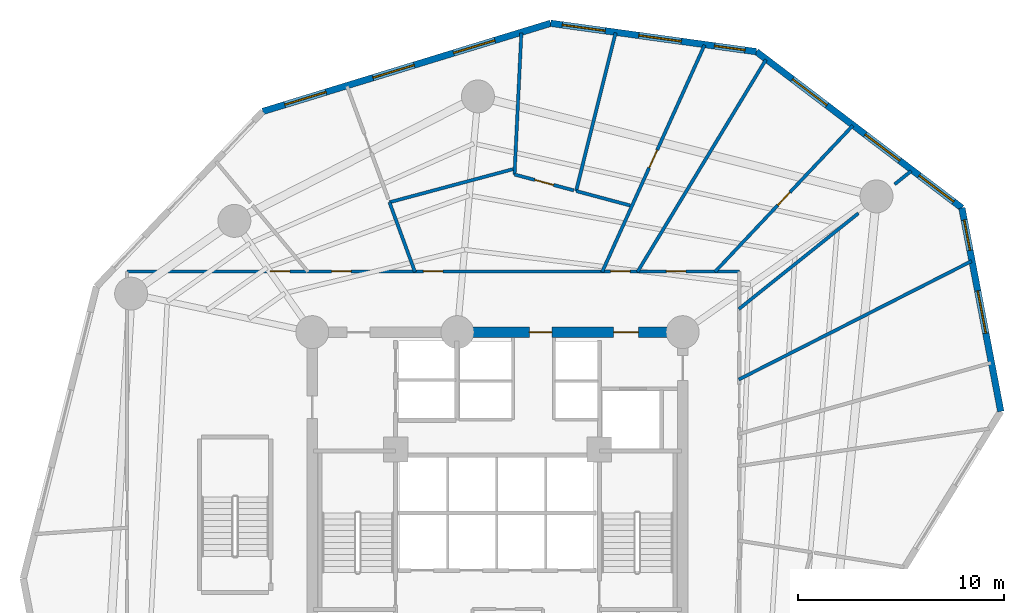
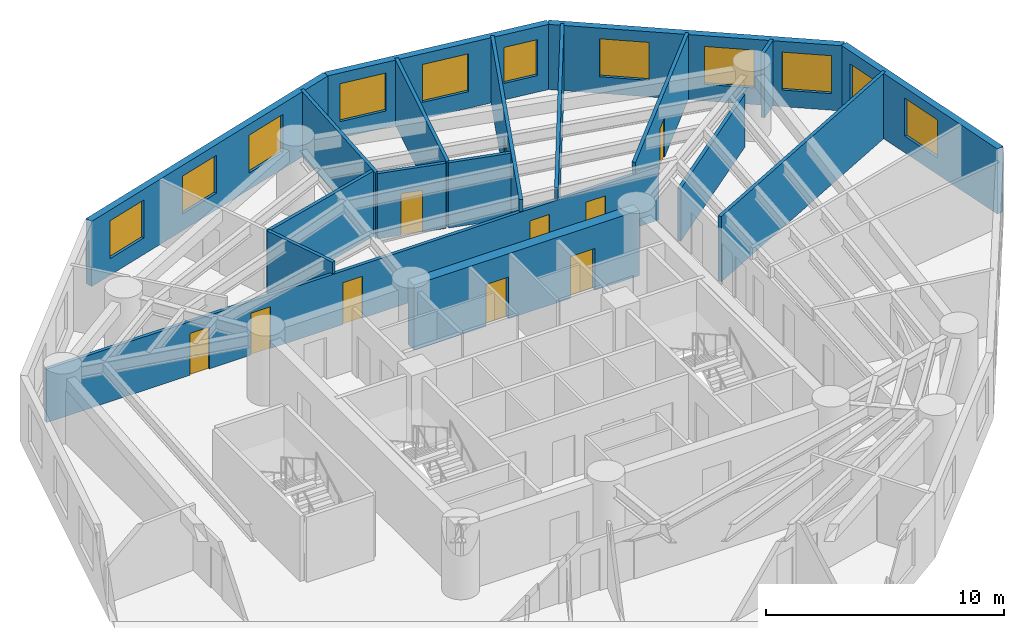
# One storey, part 6 of 8: 18 walls, 11 windows, 10 doors, 21 openings.
"""IFC4 building model written with IfcOpenShell, lengths in metres."""

from ifc_helpers import new_model, si_unit, direction, frame, frame_2d, origin, origin_with_axes, place, context, subcontext, project, spatial, rectangle, extrude, source, transform, mapped, material, layer, layer_set, type_object, element, fill, save


model = new_model("IFC4")

# Units and contexts
model_context = context("Model", 3, precision=1e-05, world=origin(), true_north=direction((0.0, 1.0)))
body_context = subcontext(model_context, "Body", "Model", "MODEL_VIEW")
ifc_project = project(units=[si_unit("LENGTHUNIT", "METRE"), si_unit("AREAUNIT", "SQUARE_METRE"), si_unit("VOLUMEUNIT", "CUBIC_METRE"), si_unit("PLANEANGLEUNIT", "RADIAN"), si_unit("MASSUNIT", "GRAM", prefix="KILO")], contexts=[model_context])

# Site, building, storey
site_placement = place(None, origin())
site = spatial("IfcSite", under=ifc_project, at=site_placement, CompositionType="ELEMENT")
building_placement = place(site_placement, origin())
building = spatial("IfcBuilding", under=site, at=building_placement, Name="Karkom Vertical University and Central Library", CompositionType="ELEMENT")
storey_placement = place(building_placement, frame((0.0, 0.0, 76.89990234375)))
storey = spatial("IfcBuildingStorey", under=building, at=storey_placement, Name="L20", CompositionType="ELEMENT", Elevation=76.89990234375)

# Wall, openings, windows
ifc_material_1 = material(Name="Brick-faced precast concrete C45/55", Category="masonry")
ifc_layer_1 = layer(ifc_material_1, 0.320068359375)
ifc_layer_set_1 = layer_set([ifc_layer_1], Name="Brick-faced precast concrete C45/55")
wall_type_1 = type_object("IfcWallType", Name="ENV-WL-BRK-320", PredefinedType="SOLIDWALL", material=ifc_layer_set_1)
wall_1_placement = place(storey_placement, frame((52.9580078125, 30.848388671875, 0.0), z_axis=(0.0, 0.0, 1.0), x_axis=(-0.187668122097, 0.982232495873, 0.0)))
wall_1 = element("IfcWall", 1, at=wall_1_placement, inside=storey, type_object=wall_type_1, Name="Level 20 Brick-Faced Precast Facade Wall 09", PredefinedType="SOLIDWALL", context=body_context, shape_type="SweptSolid", body=[
    extrude(rectangle(XDim=10.06787109375, YDim=0.320068359375, at=frame_2d((5.033935546875, 0.0))), origin(), (0.0, 0.0, 1.0), 3.35009765625),
])
opening_1_placement = place(wall_1_placement, frame((3.86669921875, 0.0, 0.85009765625)))
opening_1 = element("IfcOpeningElement", 2, at=opening_1_placement, cuts=wall_1, Name="Opening WN-03", PredefinedType="OPENING", context=body_context, shape_type="SweptSolid", body=[
    extrude(rectangle(XDim=2.10009765625, YDim=1.949951171875, at=frame_2d((1.050048828125, 0.97509765625))), frame((0.0, 0.169921875, 0.0), z_axis=(0.0, -1.0, 0.0), x_axis=(1.0, 0.0, 0.0)), (0.0, 0.0, 1.0), 0.340087890625),
])
opening_2_placement = place(wall_1_placement, frame((7.968994140625, 0.0, 0.85009765625)))
opening_2 = element("IfcOpeningElement", 3, at=opening_2_placement, cuts=wall_1, Name="Opening WN-05", PredefinedType="OPENING", context=body_context, shape_type="SweptSolid", body=[
    extrude(rectangle(XDim=1.5, YDim=1.85009765625, at=frame_2d((0.75, 0.925048828125))), frame((0.0, 0.169921875, 0.0), z_axis=(0.0, -1.0, 0.0), x_axis=(1.0, 0.0, 0.0)), (0.0, 0.0, 1.0), 0.340087890625),
])
ifc_material_2 = material(Name="Aluminium thermal-break frame with solar-control IGU", Category="aluminium")
window_type_1 = type_object("IfcWindowType", Name="ENV-WIN-WN-03", PartitioningType="SINGLE_PANEL", PredefinedType="WINDOW", material=ifc_material_2)
shared_shape_1 = source(origin_with_axes(), body_context, "Body", "SweptSolid", [
    extrude(rectangle(XDim=2.10009765625, YDim=1.949951171875, at=frame_2d((1.050048828125, 0.97509765625))), frame((0.0, 0.030029296875, 0.0), z_axis=(0.0, -1.0, 0.0), x_axis=(1.0, 0.0, 0.0)), (0.0, 0.0, 1.0), 0.06005859375),
])
window_1_placement = place(opening_1_placement, origin())
window_1 = element("IfcWindow", 4, at=window_1_placement, inside=storey, type_object=window_type_1, Name="Level 20 Punched Window 9.1", OverallHeight=1.949951171875, OverallWidth=2.10009765625, PartitioningType="SINGLE_PANEL", PredefinedType="WINDOW", context=body_context, shape_type="MappedRepresentation", body=[
    mapped(shared_shape_1, transform((0.0, 0.0, 0.0), scale=1.0)),
])
fill(opening_1, window_1)
window_type_2 = type_object("IfcWindowType", Name="ENV-WIN-WN-05", PartitioningType="SINGLE_PANEL", PredefinedType="WINDOW", material=ifc_material_2)
shared_shape_2 = source(origin_with_axes(), body_context, "Body", "SweptSolid", [
    extrude(rectangle(XDim=1.5, YDim=1.85009765625, at=frame_2d((0.75, 0.925048828125))), frame((0.0, 0.030029296875, 0.0), z_axis=(0.0, -1.0, 0.0), x_axis=(1.0, 0.0, 0.0)), (0.0, 0.0, 1.0), 0.06005859375),
])
window_2_placement = place(opening_2_placement, origin())
window_2 = element("IfcWindow", 5, at=window_2_placement, inside=storey, type_object=window_type_2, Name="Level 20 Punched Window 9.2", OverallHeight=1.85009765625, OverallWidth=1.5, PartitioningType="SINGLE_PANEL", PredefinedType="WINDOW", context=body_context, shape_type="MappedRepresentation", body=[
    mapped(shared_shape_2, transform((0.0, 0.0, 0.0), scale=1.0)),
])
fill(opening_2, window_2)

wall_2_placement = place(storey_placement, frame((51.068603515625, 40.7373046875, 0.0), z_axis=(0.0, 0.0, 1.0), x_axis=(-0.796119452113, 0.605139502898, 0.0)))
wall_2 = element("IfcWall", 6, at=wall_2_placement, inside=storey, type_object=wall_type_1, Name="Level 20 Brick-Faced Precast Facade Wall 10", PredefinedType="SOLIDWALL", context=body_context, shape_type="SweptSolid", body=[
    extrude(rectangle(XDim=12.54833984375, YDim=0.320068359375, at=frame_2d((6.274169921875, 0.0))), origin(), (0.0, 0.0, 1.0), 3.35009765625),
])
opening_3_placement = place(wall_2_placement, frame((0.503173828125, 0.0, 0.85009765625)))
opening_3 = element("IfcOpeningElement", 7, at=opening_3_placement, cuts=wall_2, Name="Opening WN-03", PredefinedType="OPENING", context=body_context, shape_type="SweptSolid", body=[
    extrude(rectangle(XDim=2.10009765625, YDim=1.949951171875, at=frame_2d((1.050048828125, 0.97509765625))), frame((0.0, 0.169921875, 0.0), z_axis=(0.0, -1.0, 0.0), x_axis=(1.0, 0.0, 0.0)), (0.0, 0.0, 1.0), 0.340087890625),
])
opening_4_placement = place(wall_2_placement, frame((3.795654296875, 0.0, 0.85009765625)))
opening_4 = element("IfcOpeningElement", 8, at=opening_4_placement, cuts=wall_2, Name="Opening WN-03", PredefinedType="OPENING", context=body_context, shape_type="SweptSolid", body=[
    extrude(rectangle(XDim=2.10009765625, YDim=1.949951171875, at=frame_2d((1.050048828125, 0.97509765625))), frame((0.0, 0.169921875, 0.0), z_axis=(0.0, -1.0, 0.0), x_axis=(1.0, 0.0, 0.0)), (0.0, 0.0, 1.0), 0.340087890625),
])
opening_5_placement = place(wall_2_placement, frame((8.240966796875, 0.0, 0.85009765625)))
opening_5 = element("IfcOpeningElement", 9, at=opening_5_placement, cuts=wall_2, Name="Opening WN-03", PredefinedType="OPENING", context=body_context, shape_type="SweptSolid", body=[
    extrude(rectangle(XDim=2.10009765625, YDim=1.949951171875, at=frame_2d((1.050048828125, 0.97509765625))), frame((0.0, 0.169921875, 0.0), z_axis=(0.0, -1.0, 0.0), x_axis=(1.0, 0.0, 0.0)), (0.0, 0.0, 1.0), 0.340087890625),
])
window_3_placement = place(opening_3_placement, origin())
window_3 = element("IfcWindow", 10, at=window_3_placement, inside=storey, type_object=window_type_1, Name="Level 20 Punched Window 10.1", OverallHeight=1.949951171875, OverallWidth=2.10009765625, PartitioningType="SINGLE_PANEL", PredefinedType="WINDOW", context=body_context, shape_type="MappedRepresentation", body=[
    mapped(shared_shape_1, transform((0.0, 0.0, 0.0), scale=1.0)),
])
fill(opening_3, window_3)
window_4_placement = place(opening_4_placement, origin())
window_4 = element("IfcWindow", 11, at=window_4_placement, inside=storey, type_object=window_type_1, Name="Level 20 Punched Window 10.2", OverallHeight=1.949951171875, OverallWidth=2.10009765625, PartitioningType="SINGLE_PANEL", PredefinedType="WINDOW", context=body_context, shape_type="MappedRepresentation", body=[
    mapped(shared_shape_1, transform((0.0, 0.0, 0.0), scale=1.0)),
])
fill(opening_4, window_4)
window_5_placement = place(opening_5_placement, origin())
window_5 = element("IfcWindow", 12, at=window_5_placement, inside=storey, type_object=window_type_1, Name="Level 20 Punched Window 10.3", OverallHeight=1.949951171875, OverallWidth=2.10009765625, PartitioningType="SINGLE_PANEL", PredefinedType="WINDOW", context=body_context, shape_type="MappedRepresentation", body=[
    mapped(shared_shape_1, transform((0.0, 0.0, 0.0), scale=1.0)),
])
fill(opening_5, window_5)

wall_3_placement = place(storey_placement, frame((41.07861328125, 48.330810546875, 0.0), z_axis=(0.0, 0.0, 1.0), x_axis=(-0.990610962214, 0.136711087848, 0.0)))
wall_3 = element("IfcWall", 13, at=wall_3_placement, inside=storey, type_object=wall_type_1, Name="Level 20 Brick-Faced Precast Facade Wall 11", PredefinedType="SOLIDWALL", context=body_context, shape_type="SweptSolid", body=[
    extrude(rectangle(XDim=10.08984375, YDim=0.320068359375, at=frame_2d((5.044921875, 0.0))), origin(), (0.0, 0.0, 1.0), 3.35009765625),
])
opening_6_placement = place(wall_3_placement, frame((0.552734375, 0.0, 0.85009765625)))
opening_6 = element("IfcOpeningElement", 14, at=opening_6_placement, cuts=wall_3, Name="Opening WN-05", PredefinedType="OPENING", context=body_context, shape_type="SweptSolid", body=[
    extrude(rectangle(XDim=1.5, YDim=1.85009765625, at=frame_2d((0.75, 0.925048828125))), frame((0.0, 0.169921875, 0.0), z_axis=(0.0, -1.0, 0.0), x_axis=(1.0, 0.0, 0.0)), (0.0, 0.0, 1.0), 0.340087890625),
])
opening_7_placement = place(wall_3_placement, frame((3.673095703125, 0.0, 0.85009765625)))
opening_7 = element("IfcOpeningElement", 15, at=opening_7_placement, cuts=wall_3, Name="Opening WN-03", PredefinedType="OPENING", context=body_context, shape_type="SweptSolid", body=[
    extrude(rectangle(XDim=2.10009765625, YDim=1.949951171875, at=frame_2d((1.050048828125, 0.97509765625))), frame((0.0, 0.169921875, 0.0), z_axis=(0.0, -1.0, 0.0), x_axis=(1.0, 0.0, 0.0)), (0.0, 0.0, 1.0), 0.340087890625),
])
opening_8_placement = place(wall_3_placement, frame((7.415283203125, 0.0, 0.85009765625)))
opening_8 = element("IfcOpeningElement", 16, at=opening_8_placement, cuts=wall_3, Name="Opening WN-03", PredefinedType="OPENING", context=body_context, shape_type="SweptSolid", body=[
    extrude(rectangle(XDim=2.10009765625, YDim=1.949951171875, at=frame_2d((1.050048828125, 0.97509765625))), frame((0.0, 0.169921875, 0.0), z_axis=(0.0, -1.0, 0.0), x_axis=(1.0, 0.0, 0.0)), (0.0, 0.0, 1.0), 0.340087890625),
])
window_6_placement = place(opening_7_placement, origin())
window_6 = element("IfcWindow", 17, at=window_6_placement, inside=storey, type_object=window_type_1, Name="Level 20 Punched Window 11.2", OverallHeight=1.949951171875, OverallWidth=2.10009765625, PartitioningType="SINGLE_PANEL", PredefinedType="WINDOW", context=body_context, shape_type="MappedRepresentation", body=[
    mapped(shared_shape_1, transform((0.0, 0.0, 0.0), scale=1.0)),
])
fill(opening_7, window_6)
window_7_placement = place(opening_8_placement, origin())
window_7 = element("IfcWindow", 18, at=window_7_placement, inside=storey, type_object=window_type_1, Name="Level 20 Punched Window 11.3", OverallHeight=1.949951171875, OverallWidth=2.10009765625, PartitioningType="SINGLE_PANEL", PredefinedType="WINDOW", context=body_context, shape_type="MappedRepresentation", body=[
    mapped(shared_shape_1, transform((0.0, 0.0, 0.0), scale=1.0)),
])
fill(opening_8, window_7)
window_8_placement = place(opening_6_placement, origin())
window_8 = element("IfcWindow", 19, at=window_8_placement, inside=storey, type_object=window_type_2, Name="Level 20 Punched Window 11.1", OverallHeight=1.85009765625, OverallWidth=1.5, PartitioningType="SINGLE_PANEL", PredefinedType="WINDOW", context=body_context, shape_type="MappedRepresentation", body=[
    mapped(shared_shape_2, transform((0.0, 0.0, 0.0), scale=1.0)),
])
fill(opening_6, window_8)

wall_4_placement = place(storey_placement, frame((31.08349609375, 49.710205078125, 0.0), z_axis=(0.0, 0.0, 1.0), x_axis=(-0.956152758826, -0.292868403536, 0.0)))
wall_4 = element("IfcWall", 20, at=wall_4_placement, inside=storey, type_object=wall_type_1, Name="Level 20 Brick-Faced Precast Facade Wall 12", PredefinedType="SOLIDWALL", context=body_context, shape_type="SweptSolid", body=[
    extrude(rectangle(XDim=14.630126953125, YDim=0.320068359375, at=frame_2d((7.31494140625, 0.0))), origin(), (0.0, 0.0, 1.0), 3.35009765625),
])
opening_9_placement = place(wall_4_placement, frame((2.83056640625, 0.0, 0.85009765625)))
opening_9 = element("IfcOpeningElement", 21, at=opening_9_placement, cuts=wall_4, Name="Opening WN-03", PredefinedType="OPENING", context=body_context, shape_type="SweptSolid", body=[
    extrude(rectangle(XDim=2.10009765625, YDim=1.949951171875, at=frame_2d((1.050048828125, 0.97509765625))), frame((0.0, 0.169921875, 0.0), z_axis=(0.0, -1.0, 0.0), x_axis=(1.0, 0.0, 0.0)), (0.0, 0.0, 1.0), 0.340087890625),
])
opening_10_placement = place(wall_4_placement, frame((6.934814453125, 0.0, 0.85009765625)))
opening_10 = element("IfcOpeningElement", 22, at=opening_10_placement, cuts=wall_4, Name="Opening WN-03", PredefinedType="OPENING", context=body_context, shape_type="SweptSolid", body=[
    extrude(rectangle(XDim=2.10009765625, YDim=1.949951171875, at=frame_2d((1.050048828125, 0.97509765625))), frame((0.0, 0.169921875, 0.0), z_axis=(0.0, -1.0, 0.0), x_axis=(1.0, 0.0, 0.0)), (0.0, 0.0, 1.0), 0.340087890625),
])
opening_11_placement = place(wall_4_placement, frame((11.41357421875, 0.0, 0.85009765625)))
opening_11 = element("IfcOpeningElement", 23, at=opening_11_placement, cuts=wall_4, Name="Opening WN-03", PredefinedType="OPENING", context=body_context, shape_type="SweptSolid", body=[
    extrude(rectangle(XDim=2.10009765625, YDim=1.949951171875, at=frame_2d((1.050048828125, 0.97509765625))), frame((0.0, 0.169921875, 0.0), z_axis=(0.0, -1.0, 0.0), x_axis=(1.0, 0.0, 0.0)), (0.0, 0.0, 1.0), 0.340087890625),
])
window_9_placement = place(opening_9_placement, origin())
window_9 = element("IfcWindow", 24, at=window_9_placement, inside=storey, type_object=window_type_1, Name="Level 20 Punched Window 12.1", OverallHeight=1.949951171875, OverallWidth=2.10009765625, PartitioningType="SINGLE_PANEL", PredefinedType="WINDOW", context=body_context, shape_type="MappedRepresentation", body=[
    mapped(shared_shape_1, transform((0.0, 0.0, 0.0), scale=1.0)),
])
fill(opening_9, window_9)
window_10_placement = place(opening_10_placement, origin())
window_10 = element("IfcWindow", 25, at=window_10_placement, inside=storey, type_object=window_type_1, Name="Level 20 Punched Window 12.2", OverallHeight=1.949951171875, OverallWidth=2.10009765625, PartitioningType="SINGLE_PANEL", PredefinedType="WINDOW", context=body_context, shape_type="MappedRepresentation", body=[
    mapped(shared_shape_1, transform((0.0, 0.0, 0.0), scale=1.0)),
])
fill(opening_10, window_10)
window_11_placement = place(opening_11_placement, origin())
window_11 = element("IfcWindow", 26, at=window_11_placement, inside=storey, type_object=window_type_1, Name="Level 20 Punched Window 12.3", OverallHeight=1.949951171875, OverallWidth=2.10009765625, PartitioningType="SINGLE_PANEL", PredefinedType="WINDOW", context=body_context, shape_type="MappedRepresentation", body=[
    mapped(shared_shape_1, transform((0.0, 0.0, 0.0), scale=1.0)),
])
fill(opening_11, window_11)

# Wall, openings, doors
ifc_material_3 = material(Name="Insulated metal-stud drywall 160mm", Category="gypsum")
ifc_layer_2 = layer(ifc_material_3, 0.159912109375)
ifc_layer_set_2 = layer_set([ifc_layer_2], Name="Insulated metal-stud drywall 160mm")
wall_type_2 = type_object("IfcWallType", Name="INT-WL-COR-160", PredefinedType="PARTITIONING", material=ifc_layer_set_2)
wall_5_placement = place(storey_placement, frame((10.5, 37.64990234375, 0.0), z_axis=(0.0, 0.0, 1.0), x_axis=(1.0, 0.0, 0.0)))
wall_5 = element("IfcWall", 27, at=wall_5_placement, inside=storey, type_object=wall_type_2, Name="Level 20 Interior Partition Wall L20-CORW-CW-003", PredefinedType="PARTITIONING", context=body_context, shape_type="SweptSolid", body=[
    extrude(rectangle(XDim=29.75, YDim=0.159912109375, at=frame_2d((14.875, 0.0))), origin(), (0.0, 0.0, 1.0), 2.75),
])
opening_12_placement = place(wall_5_placement, frame((26.207763671875, 0.0, 0.0)))
opening_12 = element("IfcOpeningElement", 28, at=opening_12_placement, cuts=wall_5, Name="Opening D-RM1", PredefinedType="OPENING", context=body_context, shape_type="SweptSolid", body=[
    extrude(rectangle(XDim=0.949951171875, YDim=2.14990234375, at=frame_2d((0.47509765625, 1.074951171875))), frame((0.0, 0.08984375, 0.0), z_axis=(0.0, -1.0, 0.0), x_axis=(1.0, 0.0, 0.0)), (0.0, 0.0, 1.0), 0.179931640625),
])
opening_13_placement = place(wall_5_placement, frame((23.4951171875, 0.0, 0.0)))
opening_13 = element("IfcOpeningElement", 29, at=opening_13_placement, cuts=wall_5, Name="Opening D-RM1", PredefinedType="OPENING", context=body_context, shape_type="SweptSolid", body=[
    extrude(rectangle(XDim=0.949951171875, YDim=2.14990234375, at=frame_2d((0.47509765625, 1.074951171875))), frame((0.0, 0.08984375, 0.0), z_axis=(0.0, -1.0, 0.0), x_axis=(1.0, 0.0, 0.0)), (0.0, 0.0, 1.0), 0.179931640625),
])
opening_14_placement = place(wall_5_placement, frame((14.39990234375, 0.0, 0.0)))
opening_14 = element("IfcOpeningElement", 30, at=opening_14_placement, cuts=wall_5, Name="Opening D-RM1", PredefinedType="OPENING", context=body_context, shape_type="SweptSolid", body=[
    extrude(rectangle(XDim=0.949951171875, YDim=2.14990234375, at=frame_2d((0.47509765625, 1.074951171875))), frame((0.0, 0.08984375, 0.0), z_axis=(0.0, -1.0, 0.0), x_axis=(1.0, 0.0, 0.0)), (0.0, 0.0, 1.0), 0.179931640625),
])
opening_15_placement = place(wall_5_placement, frame((9.9375, 0.0, 0.0)))
opening_15 = element("IfcOpeningElement", 31, at=opening_15_placement, cuts=wall_5, Name="Opening D-RM1", PredefinedType="OPENING", context=body_context, shape_type="SweptSolid", body=[
    extrude(rectangle(XDim=0.949951171875, YDim=2.14990234375, at=frame_2d((0.47509765625, 1.074951171875))), frame((0.0, 0.08984375, 0.0), z_axis=(0.0, -1.0, 0.0), x_axis=(1.0, 0.0, 0.0)), (0.0, 0.0, 1.0), 0.179931640625),
])
opening_16_placement = place(wall_5_placement, frame((6.96240234375, 0.0, 0.0)))
opening_16 = element("IfcOpeningElement", 32, at=opening_16_placement, cuts=wall_5, Name="Opening D-RM1", PredefinedType="OPENING", context=body_context, shape_type="SweptSolid", body=[
    extrude(rectangle(XDim=0.949951171875, YDim=2.14990234375, at=frame_2d((0.47509765625, 1.074951171875))), frame((0.0, 0.08984375, 0.0), z_axis=(0.0, -1.0, 0.0), x_axis=(1.0, 0.0, 0.0)), (0.0, 0.0, 1.0), 0.179931640625),
])
ifc_material_4 = material(Name="Solid-core oak veneer door", Category="wood")
door_type_1 = type_object("IfcDoorType", Name="INT-DR-RM1", OperationType="NOTDEFINED", PredefinedType="DOOR", material=ifc_material_4)
shared_shape_3 = source(origin_with_axes(), body_context, "Body", "SweptSolid", [
    extrude(rectangle(XDim=0.949951171875, YDim=2.14990234375, at=frame_2d((0.47509765625, 1.074951171875))), frame((0.0, 0.02490234375, 0.0), z_axis=(0.0, -1.0, 0.0), x_axis=(1.0, 0.0, 0.0)), (0.0, 0.0, 1.0), 0.050048828125),
])
door_1_placement = place(opening_12_placement, origin())
door_1 = element("IfcDoor", 33, at=door_1_placement, inside=storey, type_object=door_type_1, Name="Level 20 Room Entry Door 170", OperationType="SINGLE_SWING_LEFT", OverallHeight=2.14990234375, OverallWidth=0.949951171875, PredefinedType="DOOR", context=body_context, shape_type="MappedRepresentation", body=[
    mapped(shared_shape_3, transform((0.0, 0.0, 0.0), scale=1.0)),
])
fill(opening_12, door_1)
door_2_placement = place(opening_13_placement, origin())
door_2 = element("IfcDoor", 34, at=door_2_placement, inside=storey, type_object=door_type_1, Name="Level 20 Room Entry Door 180", OperationType="SINGLE_SWING_RIGHT", OverallHeight=2.14990234375, OverallWidth=0.949951171875, PredefinedType="DOOR", context=body_context, shape_type="MappedRepresentation", body=[
    mapped(shared_shape_3, transform((0.0, 0.0, 0.0), scale=1.0)),
])
fill(opening_13, door_2)
door_3_placement = place(opening_14_placement, origin())
door_3 = element("IfcDoor", 35, at=door_3_placement, inside=storey, type_object=door_type_1, Name="Level 20 Room Entry Door 210", OperationType="SINGLE_SWING_LEFT", OverallHeight=2.14990234375, OverallWidth=0.949951171875, PredefinedType="DOOR", context=body_context, shape_type="MappedRepresentation", body=[
    mapped(shared_shape_3, transform((0.0, 0.0, 0.0), scale=1.0)),
])
fill(opening_14, door_3)
door_4_placement = place(opening_15_placement, origin())
door_4 = element("IfcDoor", 36, at=door_4_placement, inside=storey, type_object=door_type_1, Name="Level 20 Room Entry Door 230", OperationType="SINGLE_SWING_RIGHT", OverallHeight=2.14990234375, OverallWidth=0.949951171875, PredefinedType="DOOR", context=body_context, shape_type="MappedRepresentation", body=[
    mapped(shared_shape_3, transform((0.0, 0.0, 0.0), scale=1.0)),
])
fill(opening_15, door_4)
door_5_placement = place(opening_16_placement, origin())
door_5 = element("IfcDoor", 37, at=door_5_placement, inside=storey, type_object=door_type_1, Name="Level 20 Room Entry Door 240", OperationType="SINGLE_SWING_LEFT", OverallHeight=2.14990234375, OverallWidth=0.949951171875, PredefinedType="DOOR", context=body_context, shape_type="MappedRepresentation", body=[
    mapped(shared_shape_3, transform((0.0, 0.0, 0.0), scale=1.0)),
])
fill(opening_16, door_5)

# Wall
wall_6_placement = place(storey_placement, frame((40.223388671875, 32.396240234375, 0.0), z_axis=(0.0, 0.0, 1.0), x_axis=(0.891304627561, 0.453404963459, 0.0)))
element("IfcWall", 38, at=wall_6_placement, inside=storey, type_object=wall_type_2, Name="Level 20 Interior Partition Wall L20-PW-022", PredefinedType="PARTITIONING", context=body_context, shape_type="SweptSolid", body=[
    extrude(rectangle(XDim=12.69091796875, YDim=0.159912109375, at=frame_2d((6.345458984375, 0.0))), origin(), (0.0, 0.0, 1.0), 3.35009765625),
])

# Wall, opening, door
wall_7_placement = place(storey_placement, frame((33.5859375, 37.622802734375, 0.0), z_axis=(0.0, 0.0, 1.0), x_axis=(0.411385577094, 0.911461412765, 0.0)))
wall_7 = element("IfcWall", 39, at=wall_7_placement, inside=storey, type_object=wall_type_2, Name="Level 20 Interior Partition Wall L20-PW-027", PredefinedType="PARTITIONING", context=body_context, shape_type="SweptSolid", body=[
    extrude(rectangle(XDim=12.09814453125, YDim=0.159912109375, at=frame_2d((6.049072265625, 0.0))), origin(), (0.0, 0.0, 1.0), 3.35009765625),
])
opening_17_placement = place(wall_7_placement, frame((5.556640625, 0.0, 0.0)))
opening_17 = element("IfcOpeningElement", 40, at=opening_17_placement, cuts=wall_7, Name="Opening D-RM1", PredefinedType="OPENING", context=body_context, shape_type="SweptSolid", body=[
    extrude(rectangle(XDim=0.949951171875, YDim=2.14990234375, at=frame_2d((0.47509765625, 1.074951171875))), frame((0.0, 0.08984375, 0.0), z_axis=(0.0, -1.0, 0.0), x_axis=(1.0, 0.0, 0.0)), (0.0, 0.0, 1.0), 0.179931640625),
])
door_6_placement = place(opening_17_placement, origin())
door_6 = element("IfcDoor", 41, at=door_6_placement, inside=storey, type_object=door_type_1, Name="Level 20 Room Entry Door 190", OperationType="SINGLE_SWING_LEFT", OverallHeight=2.14990234375, OverallWidth=0.949951171875, PredefinedType="DOOR", context=body_context, shape_type="MappedRepresentation", body=[
    mapped(shared_shape_3, transform((0.0, 0.0, 0.0), scale=1.0)),
])
fill(opening_17, door_6)

# Wall
wall_8_placement = place(storey_placement, frame((35.30224609375, 37.624267578125, 0.0), z_axis=(0.0, 0.0, 1.0), x_axis=(0.517751606505, 0.855530989481, 0.0)))
element("IfcWall", 42, at=wall_8_placement, inside=storey, type_object=wall_type_2, Name="Level 20 Interior Partition Wall L20-PW-026", PredefinedType="PARTITIONING", context=body_context, shape_type="SweptSolid", body=[
    extrude(rectangle(XDim=12.06103515625, YDim=0.159912109375, at=frame_2d((6.030517578125, 0.0))), origin(), (0.0, 0.0, 1.0), 3.35009765625),
])

# Wall, opening, door
wall_9_placement = place(storey_placement, frame((39.068359375, 37.628173828125, 0.0), z_axis=(0.0, 0.0, 1.0), x_axis=(0.685796563099, 0.727793290737, 0.0)))
wall_9 = element("IfcWall", 43, at=wall_9_placement, inside=storey, type_object=wall_type_2, Name="Level 20 Interior Partition Wall L20-PW-025", PredefinedType="PARTITIONING", context=body_context, shape_type="SweptSolid", body=[
    extrude(rectangle(XDim=9.766357421875, YDim=0.159912109375, at=frame_2d((4.88330078125, 0.0))), origin(), (0.0, 0.0, 1.0), 3.35009765625),
])
opening_18_placement = place(wall_9_placement, frame((4.453125, 0.0, 0.0)))
opening_18 = element("IfcOpeningElement", 44, at=opening_18_placement, cuts=wall_9, Name="Opening FD-BTH2", PredefinedType="OPENING", context=body_context, shape_type="SweptSolid", body=[
    extrude(rectangle(XDim=0.860107421875, YDim=2.0400390625, at=frame_2d((0.43017578125, 1.02001953125))), frame((0.0, 0.08984375, 0.0), z_axis=(0.0, -1.0, 0.0), x_axis=(1.0, 0.0, 0.0)), (0.0, 0.0, 1.0), 0.179931640625),
])
ifc_material_5 = material(Name="Fire-rated moisture-resistant oak door", Category="wood")
door_type_2 = type_object("IfcDoorType", Name="INT-DR-FBTH2", OperationType="NOTDEFINED", PredefinedType="DOOR", material=ifc_material_5)
shared_shape_4 = source(origin_with_axes(), body_context, "Body", "SweptSolid", [
    extrude(rectangle(XDim=0.860107421875, YDim=2.0400390625, at=frame_2d((0.43017578125, 1.02001953125))), frame((0.0, 0.02490234375, 0.0), z_axis=(0.0, -1.0, 0.0), x_axis=(1.0, 0.0, 0.0)), (0.0, 0.0, 1.0), 0.050048828125),
])
door_7_placement = place(opening_18_placement, origin())
door_7 = element("IfcDoor", 45, at=door_7_placement, inside=storey, type_object=door_type_2, Name="Level 20 Faculty Support and Campus Staff Room Entry Door", OperationType="SINGLE_SWING_RIGHT", OverallHeight=2.0400390625, OverallWidth=0.860107421875, PredefinedType="DOOR", context=body_context, shape_type="MappedRepresentation", body=[
    mapped(shared_shape_4, transform((0.0, 0.0, 0.0), scale=1.0)),
])
fill(opening_18, door_7)

# Walls
wall_10_placement = place(storey_placement, frame((32.322265625, 41.55859375, 0.0), z_axis=(0.0, 0.0, 1.0), x_axis=(0.242289200533, 0.97020407302, 0.0)))
element("IfcWall", 46, at=wall_10_placement, inside=storey, type_object=wall_type_2, Name="Level 20 Interior Partition Wall L20-PW-028", PredefinedType="PARTITIONING", context=body_context, shape_type="SweptSolid", body=[
    extrude(rectangle(XDim=7.926025390625, YDim=0.159912109375, at=frame_2d((3.962890625, 0.0))), origin(), (0.0, 0.0, 1.0), 3.35009765625),
])
wall_11_placement = place(storey_placement, frame((40.2265625, 35.818359375, 0.0), z_axis=(0.0, 0.0, 1.0), x_axis=(0.780414563341, 0.625262432363, 0.0)))
element("IfcWall", 47, at=wall_11_placement, inside=storey, type_object=wall_type_2, Name="Level 20 Interior Partition Wall L20-PW-024", PredefinedType="PARTITIONING", context=body_context, shape_type="SweptSolid", body=[
    extrude(rectangle(XDim=7.44921875, YDim=0.159912109375, at=frame_2d((3.724609375, 0.0))), origin(), (0.0, 0.0, 1.0), 2.7001953125),
])
wall_12_placement = place(storey_placement, frame((29.327880859375, 42.361083984375, 0.0), z_axis=(0.0, 0.0, 1.0), x_axis=(0.048357914728, 0.998830071675, 0.0)))
element("IfcWall", 48, at=wall_12_placement, inside=storey, type_object=wall_type_2, Name="Level 20 Interior Partition Wall L20-PW-031", PredefinedType="PARTITIONING", context=body_context, shape_type="SweptSolid", body=[
    extrude(rectangle(XDim=6.891357421875, YDim=0.159912109375, at=frame_2d((3.44580078125, 0.0))), origin(), (0.0, 0.0, 1.0), 3.35009765625),
])
wall_13_placement = place(storey_placement, frame((23.251708984375, 41.010986328125, 0.0), z_axis=(0.0, 0.0, 1.0), x_axis=(0.965925777149, 0.258819228495, 0.0)))
element("IfcWall", 49, at=wall_13_placement, inside=storey, type_object=wall_type_2, Name="Level 20 Interior Partition Wall L20-PW-032", PredefinedType="PARTITIONING", context=body_context, shape_type="SweptSolid", body=[
    extrude(rectangle(XDim=6.21337890625, YDim=0.159912109375, at=frame_2d((3.106689453125, 0.0))), origin(), (0.0, 0.0, 1.0), 3.35009765625),
])
wall_14_placement = place(storey_placement, frame((24.4921875, 37.621826171875, 0.0), z_axis=(0.0, 0.0, 1.0), x_axis=(-0.343713946851, 0.939074396808, 0.0)))
element("IfcWall", 50, at=wall_14_placement, inside=storey, type_object=wall_type_2, Name="Level 20 Interior Partition Wall L20-PW-033", PredefinedType="PARTITIONING", context=body_context, shape_type="SweptSolid", body=[
    extrude(rectangle(XDim=3.609130859375, YDim=0.159912109375, at=frame_2d((1.8046875, 0.0))), origin(), (0.0, 0.0, 1.0), 3.35009765625),
])

# Wall, opening, door
wall_15_placement = place(storey_placement, frame((32.206298828125, 41.589599609375, 0.0), z_axis=(0.0, 0.0, 1.0), x_axis=(-0.965907820273, 0.25888623512, 0.0)))
wall_15 = element("IfcWall", 51, at=wall_15_placement, inside=storey, type_object=wall_type_2, Name="Level 20 Interior Partition Wall L20-PW-030", PredefinedType="PARTITIONING", context=body_context, shape_type="SweptSolid", body=[
    extrude(rectangle(XDim=2.97998046875, YDim=0.159912109375, at=frame_2d((1.489990234375, 0.0))), origin(), (0.0, 0.0, 1.0), 3.35009765625),
])
opening_19_placement = place(wall_15_placement, frame((1.014892578125, 0.0, 0.0)))
opening_19 = element("IfcOpeningElement", 52, at=opening_19_placement, cuts=wall_15, Name="Opening D-RM1", PredefinedType="OPENING", context=body_context, shape_type="SweptSolid", body=[
    extrude(rectangle(XDim=0.949951171875, YDim=2.14990234375, at=frame_2d((0.47509765625, 1.074951171875))), frame((0.0, 0.08984375, 0.0), z_axis=(0.0, -1.0, 0.0), x_axis=(1.0, 0.0, 0.0)), (0.0, 0.0, 1.0), 0.179931640625),
])
door_8_placement = place(opening_19_placement, origin())
door_8 = element("IfcDoor", 53, at=door_8_placement, inside=storey, type_object=door_type_1, Name="Level 20 Room Entry Door 200", OperationType="SINGLE_SWING_RIGHT", OverallHeight=2.14990234375, OverallWidth=0.949951171875, PredefinedType="DOOR", context=body_context, shape_type="MappedRepresentation", body=[
    mapped(shared_shape_3, transform((0.0, 0.0, 0.0), scale=1.0)),
])
fill(opening_19, door_8)

# Walls
wall_16_placement = place(storey_placement, frame((34.94921875, 40.854736328125, 0.0), z_axis=(0.0, 0.0, 1.0), x_axis=(-0.965928818058, 0.258807879411, 0.0)))
element("IfcWall", 54, at=wall_16_placement, inside=storey, type_object=wall_type_2, Name="Level 20 Interior Partition Wall L20-PW-029", PredefinedType="PARTITIONING", context=body_context, shape_type="SweptSolid", body=[
    extrude(rectangle(XDim=2.7197265625, YDim=0.159912109375, at=frame_2d((1.35986328125, 0.0))), origin(), (0.0, 0.0, 1.0), 3.35009765625),
])
wall_17_placement = place(storey_placement, frame((47.800048828125, 41.88623046875, 0.0), z_axis=(0.0, 0.0, 1.0), x_axis=(0.780338403161, 0.625357479009, 0.0)))
element("IfcWall", 55, at=wall_17_placement, inside=storey, type_object=wall_type_2, Name="Level 20 Interior Partition Wall L20-PW-023", PredefinedType="PARTITIONING", context=body_context, shape_type="SweptSolid", body=[
    extrude(rectangle(XDim=1.033447265625, YDim=0.159912109375, at=frame_2d((0.5166015625, 0.0))), origin(), (0.0, 0.0, 1.0), 3.35009765625),
])

# Wall, openings, doors
ifc_material_6 = material(Name="Concrete C50/60", Category="concrete")
ifc_layer_3 = layer(ifc_material_6, 0.5)
ifc_layer_set_3 = layer_set([ifc_layer_3], Name="Concrete C50/60")
wall_type_3 = type_object("IfcWallType", Name="STR-WL-CW-500", PredefinedType="SHEAR", material=ifc_layer_set_3)
wall_18_placement = place(storey_placement, frame((37.5, 34.699951171875, 0.0), z_axis=(0.0, 0.0, 1.0), x_axis=(-1.0, 0.0, 0.0)))
wall_18 = element("IfcWall", 56, at=wall_18_placement, inside=storey, type_object=wall_type_3, Name="Level 20 Central Core Shear Wall NW1", PredefinedType="SHEAR", context=body_context, shape_type="SweptSolid", body=[
    extrude(rectangle(XDim=10.949951171875, YDim=0.5, at=frame_2d((5.47509765625, 0.0))), origin(), (0.0, 0.0, 1.0), 3.35009765625),
])
opening_20_placement = place(wall_18_placement, frame((2.14990234375, 0.0, 0.0)))
opening_20 = element("IfcOpeningElement", 57, at=opening_20_placement, cuts=wall_18, Name="Opening FD-SUB1", PredefinedType="OPENING", context=body_context, shape_type="SweptSolid", body=[
    extrude(rectangle(XDim=1.199951171875, YDim=2.14990234375, at=frame_2d((0.60009765625, 1.074951171875))), frame((0.0, 0.260009765625, 0.0), z_axis=(0.0, -1.0, 0.0), x_axis=(1.0, 0.0, 0.0)), (0.0, 0.0, 1.0), 0.52001953125),
])
opening_21_placement = place(wall_18_placement, frame((6.35009765625, 0.0, 0.0)))
opening_21 = element("IfcOpeningElement", 58, at=opening_21_placement, cuts=wall_18, Name="Opening FD-FFL", PredefinedType="OPENING", context=body_context, shape_type="SweptSolid", body=[
    extrude(rectangle(XDim=1.10009765625, YDim=2.14990234375, at=frame_2d((0.550048828125, 1.074951171875))), frame((0.0, 0.260009765625, 0.0), z_axis=(0.0, -1.0, 0.0), x_axis=(1.0, 0.0, 0.0)), (0.0, 0.0, 1.0), 0.52001953125),
])
ifc_material_7 = material(Name="Painted steel smoke-seal fire door", Category="steel")
door_type_3 = type_object("IfcDoorType", Name="INT-DR-FFL", OperationType="NOTDEFINED", PredefinedType="DOOR", material=ifc_material_7)
shared_shape_5 = source(origin_with_axes(), body_context, "Body", "SweptSolid", [
    extrude(rectangle(XDim=1.10009765625, YDim=2.14990234375, at=frame_2d((0.550048828125, 1.074951171875))), frame((0.0, 0.02490234375, 0.0), z_axis=(0.0, -1.0, 0.0), x_axis=(1.0, 0.0, 0.0)), (0.0, 0.0, 1.0), 0.050048828125),
])
door_9_placement = place(opening_21_placement, origin())
door_9 = element("IfcDoor", 59, at=door_9_placement, inside=storey, type_object=door_type_3, Name="Level 20 North Core Lobby Exit Door", OperationType="SINGLE_SWING_RIGHT", OverallHeight=2.14990234375, OverallWidth=1.10009765625, PredefinedType="DOOR", context=body_context, shape_type="MappedRepresentation", body=[
    mapped(shared_shape_5, transform((0.0, 0.0, 0.0), scale=1.0)),
])
fill(opening_21, door_9)
ifc_material_8 = material(Name="Painted steel fire door", Category="steel")
door_type_4 = type_object("IfcDoorType", Name="INT-DR-SUB1", OperationType="NOTDEFINED", PredefinedType="DOOR", material=ifc_material_8)
shared_shape_6 = source(origin_with_axes(), body_context, "Body", "SweptSolid", [
    extrude(rectangle(XDim=1.199951171875, YDim=2.14990234375, at=frame_2d((0.60009765625, 1.074951171875))), frame((0.0, 0.02490234375, 0.0), z_axis=(0.0, -1.0, 0.0), x_axis=(1.0, 0.0, 0.0)), (0.0, 0.0, 1.0), 0.050048828125),
])
door_10_placement = place(opening_20_placement, origin())
door_10 = element("IfcDoor", 60, at=door_10_placement, inside=storey, type_object=door_type_4, Name="Level 20 Service Lobby Fire Door", OperationType="SINGLE_SWING_RIGHT", OverallHeight=2.14990234375, OverallWidth=1.199951171875, PredefinedType="DOOR", context=body_context, shape_type="MappedRepresentation", body=[
    mapped(shared_shape_6, transform((0.0, 0.0, 0.0), scale=1.0)),
])
fill(opening_20, door_10)

save(model, "model.ifc")
